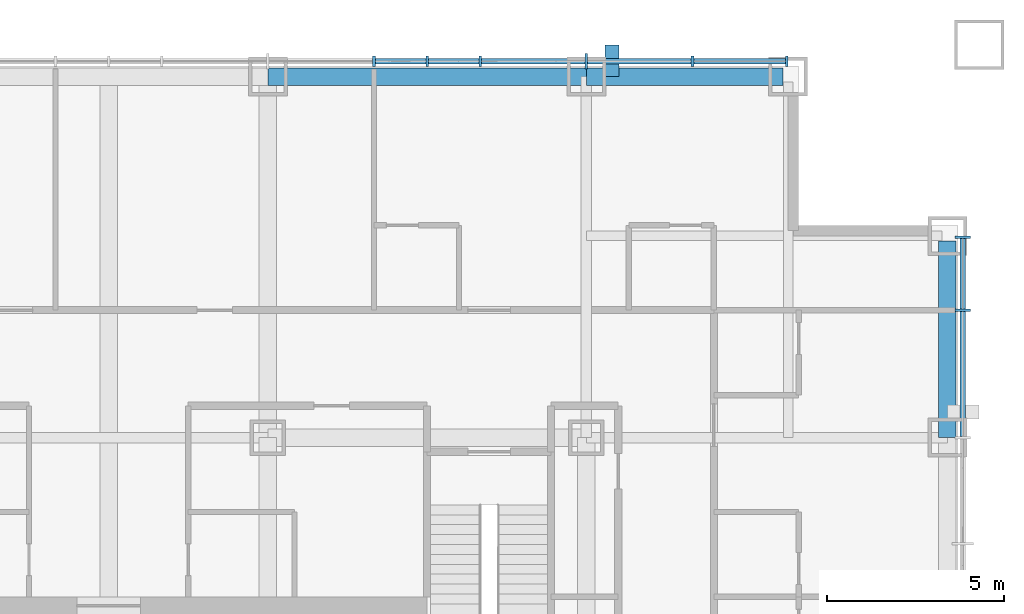
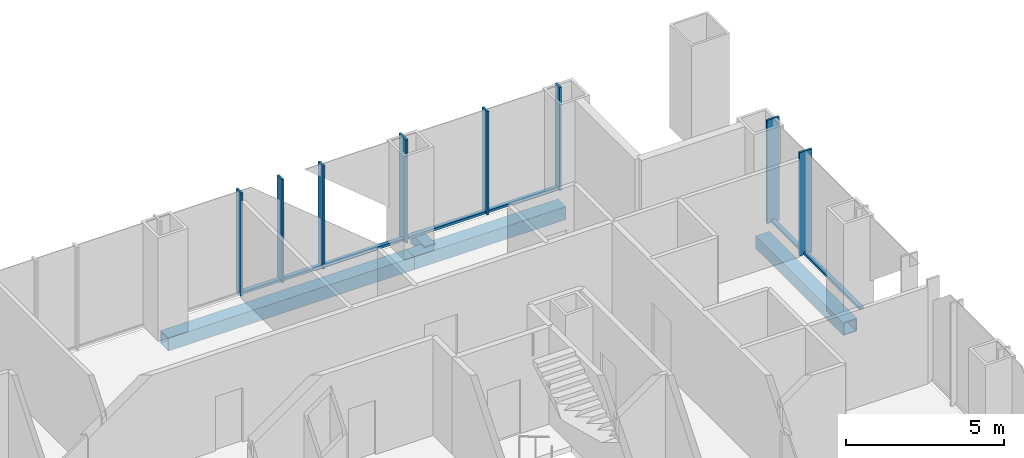
# One storey, part 6 of 16: 16 members, 3 beams, 2 elements without a shape of their own.
"""IFC4 building model written with IfcOpenShell, lengths in metres."""

from ifc_helpers import new_model, si_unit, direction, frame, origin, origin_2d, place, context, subcontext, project, spatial, rectangle, hollow_rectangle, extrude, material, layer, layer_set, material_profile, profile_set, type_object, element, aggregate, save


model = new_model("IFC4")

# Units and contexts
model_context = context("Model", 3, precision=1e-05, world=origin(), true_north=direction((0.0, 1.0)))
body_context = subcontext(model_context, "Body", "Model", "MODEL_VIEW")
ifc_project = project(units=[si_unit("LENGTHUNIT", "METRE"), si_unit("AREAUNIT", "SQUARE_METRE"), si_unit("VOLUMEUNIT", "CUBIC_METRE"), si_unit("PLANEANGLEUNIT", "RADIAN"), si_unit("MASSUNIT", "GRAM", prefix="KILO")], contexts=[model_context])

# Site, building, storey
site_placement = place(None, origin())
site = spatial("IfcSite", under=ifc_project, at=site_placement, CompositionType="ELEMENT")
building_placement = place(site_placement, origin())
building = spatial("IfcBuilding", under=site, at=building_placement, Name="Malebo Sky Hospital", CompositionType="ELEMENT")
storey_placement = place(building_placement, frame((0.0, 0.0, 108.0)))
storey = spatial("IfcBuildingStorey", under=building, at=storey_placement, Name="L25", CompositionType="ELEMENT", Elevation=108.0)

# Curtain wall, members
ifc_material_1 = material(Name="Anodised aluminium, natural silver", Category="aluminium")
ifc_layer_1 = layer(ifc_material_1, 0.25)
ifc_layer_set_1 = layer_set([ifc_layer_1], Name="WARD CURTAIN WALL NORTH AND SOUTH")
curtain_wall_type_1 = type_object("IfcCurtainWallType", Name="WARD CURTAIN WALL NORTH AND SOUTH", PredefinedType="NOTDEFINED", material=ifc_layer_set_1)
curtain_wall_1_placement = place(storey_placement, origin())
curtain_wall_1 = element("IfcCurtainWall", 1, at=curtain_wall_1_placement, inside=storey, type_object=curtain_wall_type_1, Name="NS curtain wall N", PredefinedType="NOTDEFINED")
ifc_material_profile_1 = material_profile(ifc_material_1, rectangle(XDim=0.14990234375, YDim=0.10009765625, at=origin_2d()), Name="ALUMINIUM TRANSOM 150x100")
ifc_profile_set_1 = profile_set([ifc_material_profile_1], Name="Anodised aluminium, natural silver")
member_type_1 = type_object("IfcMemberType", Name="ALUMINIUM TRANSOM 150x100", PredefinedType="USERDEFINED", material=ifc_profile_set_1)
member_1_placement = place(storey_placement, frame((67.53759765625, 86.135009765625, 0.050048828125), z_axis=(1.0, 0.0, 0.0), x_axis=(0.0, 1.0, 0.0)))
member_1 = element("IfcMember", 2, at=member_1_placement, type_object=member_type_1, Name="Transom 13", ObjectType="TRANSOM", PredefinedType="USERDEFINED", context=body_context, shape_type="SweptSolid", body=[
    extrude(rectangle(XDim=0.14990234375, YDim=0.10009765625, at=origin_2d()), origin(), (0.0, 0.0, 1.0), 1.4248046875),
])
member_2_placement = place(storey_placement, frame((69.03759765625, 86.135009765625, 0.050048828125), z_axis=(1.0, 0.0, 0.0), x_axis=(0.0, 1.0, 0.0)))
member_2 = element("IfcMember", 3, at=member_2_placement, type_object=member_type_1, Name="Transom 14", ObjectType="TRANSOM", PredefinedType="USERDEFINED", context=body_context, shape_type="SweptSolid", body=[
    extrude(rectangle(XDim=0.14990234375, YDim=0.10009765625, at=origin_2d()), origin(), (0.0, 0.0, 1.0), 1.4248046875),
])
member_3_placement = place(storey_placement, frame((70.53759765625, 86.135009765625, 0.050048828125), z_axis=(1.0, 0.0, 0.0), x_axis=(0.0, 1.0, 0.0)))
member_3 = element("IfcMember", 4, at=member_3_placement, type_object=member_type_1, Name="Transom 15", ObjectType="TRANSOM", PredefinedType="USERDEFINED", context=body_context, shape_type="SweptSolid", body=[
    extrude(rectangle(XDim=0.14990234375, YDim=0.10009765625, at=origin_2d()), origin(), (0.0, 0.0, 1.0), 2.9248046875),
])
member_4_placement = place(storey_placement, frame((73.53759765625, 86.135009765625, 0.050048828125), z_axis=(1.0, 0.0, 0.0), x_axis=(0.0, 1.0, 0.0)))
member_4 = element("IfcMember", 5, at=member_4_placement, type_object=member_type_1, Name="Transom 16", ObjectType="TRANSOM", PredefinedType="USERDEFINED", context=body_context, shape_type="SweptSolid", body=[
    extrude(rectangle(XDim=0.14990234375, YDim=0.10009765625, at=origin_2d()), origin(), (0.0, 0.0, 1.0), 2.9248046875),
])
member_5_placement = place(storey_placement, frame((76.53759765625, 86.135009765625, 0.050048828125), z_axis=(1.0, 0.0, 0.0), x_axis=(0.0, 1.0, 0.0)))
member_5 = element("IfcMember", 6, at=member_5_placement, type_object=member_type_1, Name="Transom 17", ObjectType="TRANSOM", PredefinedType="USERDEFINED", context=body_context, shape_type="SweptSolid", body=[
    extrude(rectangle(XDim=0.14990234375, YDim=0.10009765625, at=origin_2d()), origin(), (0.0, 0.0, 1.0), 2.58740234375),
])

ifc_layer_2 = layer(ifc_material_1, 0.25)
ifc_layer_set_2 = layer_set([ifc_layer_2], Name="WARD CURTAIN WALL EAST AND WEST")
curtain_wall_type_2 = type_object("IfcCurtainWallType", Name="WARD CURTAIN WALL EAST AND WEST", PredefinedType="NOTDEFINED", material=ifc_layer_set_2)
curtain_wall_2_placement = place(storey_placement, origin())
curtain_wall_2 = element("IfcCurtainWall", 7, at=curtain_wall_2_placement, inside=storey, type_object=curtain_wall_type_2, Name="EW curtain wall E", PredefinedType="NOTDEFINED")
member_6_placement = place(storey_placement, frame((84.135009765625, 81.125, 0.050048828125), z_axis=(0.0, -1.0, 0.0), x_axis=(1.0, 0.0, 0.0)))
member_6 = element("IfcMember", 8, at=member_6_placement, type_object=member_type_1, Name="Transom 1", ObjectType="TRANSOM", PredefinedType="USERDEFINED", context=body_context, shape_type="SweptSolid", body=[
    extrude(rectangle(XDim=0.14990234375, YDim=0.10009765625, at=origin_2d()), origin(), (0.0, 0.0, 1.0), 1.987548828125),
])
member_7_placement = place(storey_placement, frame((84.135009765625, 79.0625, 0.050048828125), z_axis=(0.0, -1.0, 0.0), x_axis=(1.0, 0.0, 0.0)))
member_7 = element("IfcMember", 9, at=member_7_placement, type_object=member_type_1, Name="Transom 2", ObjectType="TRANSOM", PredefinedType="USERDEFINED", context=body_context, shape_type="SweptSolid", body=[
    extrude(rectangle(XDim=0.14990234375, YDim=0.10009765625, at=origin_2d()), origin(), (0.0, 0.0, 1.0), 3.52490234375),
])

# Member
ifc_material_2 = material(Name="Steel S355", Category="steel")
ifc_material_profile_2 = material_profile(ifc_material_2, hollow_rectangle(XDim=0.39990234375, YDim=0.39990234375, WallThickness=0.02001953125, at=origin_2d()), Name="SHS 400x20")
ifc_profile_set_2 = profile_set([ifc_material_profile_2], Name="Steel S355")
member_type_2 = type_object("IfcMemberType", Name="BRACE STRUT SHS 400x20", PredefinedType="STRUT", material=ifc_profile_set_2)
member_8_placement = place(storey_placement, frame((74.22607421875, 86.60009765625, -0.39990234375), z_axis=(0.0, -1.0, 0.0), x_axis=(1.0, 0.0, 0.0)))
element("IfcMember", 10, at=member_8_placement, inside=storey, type_object=member_type_2, Name="Brace strut BN1 L25", PredefinedType="STRUT", context=body_context, shape_type="SweptSolid", body=[
    extrude(hollow_rectangle(XDim=0.39990234375, YDim=0.39990234375, WallThickness=0.02001953125, at=origin_2d()), origin(), (0.0, 0.0, 1.0), 0.900146484375),
])

ifc_material_profile_3 = material_profile(ifc_material_1, rectangle(XDim=0.074951171875, YDim=0.300048828125, at=origin_2d()), Name="CW1 ALUMINIUM FIN MULLION 75x300")
ifc_profile_set_3 = profile_set([ifc_material_profile_3], Name="Anodised aluminium, natural silver")
member_type_3 = type_object("IfcMemberType", Name="CW1 ALUMINIUM FIN MULLION 75x300", PredefinedType="MULLION", material=ifc_profile_set_3)
member_9_placement = place(storey_placement, frame((67.5, 86.135009765625, 0.0), z_axis=(0.0, 0.0, 1.0), x_axis=(1.0, 0.0, 0.0)))
member_9 = element("IfcMember", 11, at=member_9_placement, type_object=member_type_3, Name="Fin mullion 13", PredefinedType="MULLION", context=body_context, shape_type="SweptSolid", body=[
    extrude(rectangle(XDim=0.074951171875, YDim=0.300048828125, at=origin_2d()), origin(), (0.0, 0.0, 1.0), 4.0),
])

member_10_placement = place(storey_placement, frame((69.0, 86.135009765625, 0.0), z_axis=(0.0, 0.0, 1.0), x_axis=(1.0, 0.0, 0.0)))
member_10 = element("IfcMember", 12, at=member_10_placement, type_object=member_type_3, Name="Fin mullion 14", PredefinedType="MULLION", context=body_context, shape_type="SweptSolid", body=[
    extrude(rectangle(XDim=0.074951171875, YDim=0.300048828125, at=origin_2d()), origin(), (0.0, 0.0, 1.0), 4.0),
])

member_11_placement = place(storey_placement, frame((70.5, 86.135009765625, 0.0), z_axis=(0.0, 0.0, 1.0), x_axis=(1.0, 0.0, 0.0)))
member_11 = element("IfcMember", 13, at=member_11_placement, type_object=member_type_3, Name="Fin mullion 15", PredefinedType="MULLION", context=body_context, shape_type="SweptSolid", body=[
    extrude(rectangle(XDim=0.074951171875, YDim=0.300048828125, at=origin_2d()), origin(), (0.0, 0.0, 1.0), 4.0),
])

member_12_placement = place(storey_placement, frame((76.5, 86.135009765625, 0.0), z_axis=(0.0, 0.0, 1.0), x_axis=(1.0, 0.0, 0.0)))
member_12 = element("IfcMember", 14, at=member_12_placement, type_object=member_type_3, Name="Fin mullion 17", PredefinedType="MULLION", context=body_context, shape_type="SweptSolid", body=[
    extrude(rectangle(XDim=0.074951171875, YDim=0.300048828125, at=origin_2d()), origin(), (0.0, 0.0, 1.0), 4.0),
])

member_13_placement = place(storey_placement, frame((79.16259765625, 86.135009765625, 0.0), z_axis=(0.0, 0.0, 1.0), x_axis=(1.0, 0.0, 0.0)))
member_13 = element("IfcMember", 15, at=member_13_placement, type_object=member_type_3, Name="Fin mullion 18", PredefinedType="MULLION", context=body_context, shape_type="SweptSolid", body=[
    extrude(rectangle(XDim=0.074951171875, YDim=0.300048828125, at=origin_2d()), origin(), (0.0, 0.0, 1.0), 4.0),
])

ifc_material_profile_4 = material_profile(ifc_material_1, rectangle(XDim=0.074951171875, YDim=0.449951171875, at=origin_2d()), Name="CW1 ALUMINIUM FIN MULLION 75x450")
ifc_profile_set_4 = profile_set([ifc_material_profile_4], Name="Anodised aluminium, natural silver")
member_type_4 = type_object("IfcMemberType", Name="CW1 ALUMINIUM FIN MULLION 75x450", PredefinedType="MULLION", material=ifc_profile_set_4)
member_14_placement = place(storey_placement, frame((73.5, 86.135009765625, 0.0), z_axis=(0.0, 0.0, 1.0), x_axis=(1.0, 0.0, 0.0)))
member_14 = element("IfcMember", 16, at=member_14_placement, type_object=member_type_4, Name="Fin mullion 16", PredefinedType="MULLION", context=body_context, shape_type="SweptSolid", body=[
    extrude(rectangle(XDim=0.074951171875, YDim=0.449951171875, at=origin_2d()), origin(), (0.0, 0.0, 1.0), 4.0),
])

aggregate(curtain_wall_1, [member_9, member_10, member_11, member_14, member_12, member_13, member_1, member_2, member_3, member_4, member_5])

ifc_material_profile_5 = material_profile(ifc_material_1, rectangle(XDim=0.074951171875, YDim=0.449951171875, at=origin_2d()), Name="CW2 ALUMINIUM FIN MULLION 75x450")
ifc_profile_set_5 = profile_set([ifc_material_profile_5], Name="Anodised aluminium, natural silver")
member_type_5 = type_object("IfcMemberType", Name="CW2 ALUMINIUM FIN MULLION 75x450", PredefinedType="MULLION", material=ifc_profile_set_5)
member_15_placement = place(storey_placement, frame((84.135009765625, 81.16259765625, 0.0), z_axis=(0.0, 0.0, 1.0), x_axis=(0.0, -1.0, 0.0)))
member_15 = element("IfcMember", 17, at=member_15_placement, type_object=member_type_5, Name="Fin mullion 1", PredefinedType="MULLION", context=body_context, shape_type="SweptSolid", body=[
    extrude(rectangle(XDim=0.074951171875, YDim=0.449951171875, at=origin_2d()), origin(), (0.0, 0.0, 1.0), 4.0),
])

member_16_placement = place(storey_placement, frame((84.135009765625, 79.10009765625, 0.0), z_axis=(0.0, 0.0, 1.0), x_axis=(0.0, -1.0, 0.0)))
member_16 = element("IfcMember", 18, at=member_16_placement, type_object=member_type_5, Name="Fin mullion 2", PredefinedType="MULLION", context=body_context, shape_type="SweptSolid", body=[
    extrude(rectangle(XDim=0.074951171875, YDim=0.449951171875, at=origin_2d()), origin(), (0.0, 0.0, 1.0), 4.0),
])

aggregate(curtain_wall_2, [member_15, member_16, member_6, member_7])

# Beams
ifc_material_3 = material(Name="Steel S460", Category="steel")
ifc_material_profile_6 = material_profile(ifc_material_3, hollow_rectangle(XDim=0.5, YDim=0.5, WallThickness=0.030029296875, at=origin_2d()), Name="BOX 500x500x30")
ifc_profile_set_6 = profile_set([ifc_material_profile_6], Name="Steel S460")
beam_type = type_object("IfcBeamType", Name="EDGE BEAM BOX 500x500x30", PredefinedType="BEAM", material=ifc_profile_set_6)
beam_1_placement = place(storey_placement, frame((83.699951171875, 75.5, -0.5), z_axis=(0.0, 1.0, 0.0), x_axis=(-1.0, 0.0, 0.0)))
element("IfcBeam", 19, at=beam_1_placement, inside=storey, type_object=beam_type, Name="Beam 033 L25", PredefinedType="BEAM", context=body_context, shape_type="SweptSolid", body=[
    extrude(hollow_rectangle(XDim=0.5, YDim=0.5, WallThickness=0.030029296875, at=origin_2d()), origin(), (0.0, 0.0, 1.0), 5.550048828125),
])
beam_2_placement = place(storey_placement, frame((64.5, 85.699951171875, -0.5), z_axis=(1.0, 0.0, 0.0), x_axis=(0.0, 1.0, 0.0)))
element("IfcBeam", 20, at=beam_2_placement, inside=storey, type_object=beam_type, Name="Beam 066 L25", PredefinedType="BEAM", context=body_context, shape_type="SweptSolid", body=[
    extrude(hollow_rectangle(XDim=0.5, YDim=0.5, WallThickness=0.030029296875, at=origin_2d()), origin(), (0.0, 0.0, 1.0), 9.0),
])
beam_3_placement = place(storey_placement, frame((73.5, 85.699951171875, -0.5), z_axis=(1.0, 0.0, 0.0), x_axis=(0.0, 1.0, 0.0)))
element("IfcBeam", 21, at=beam_3_placement, inside=storey, type_object=beam_type, Name="Beam 067 L25", PredefinedType="BEAM", context=body_context, shape_type="SweptSolid", body=[
    extrude(hollow_rectangle(XDim=0.5, YDim=0.5, WallThickness=0.030029296875, at=origin_2d()), origin(), (0.0, 0.0, 1.0), 5.550048828125),
])

save(model, "model.ifc")
